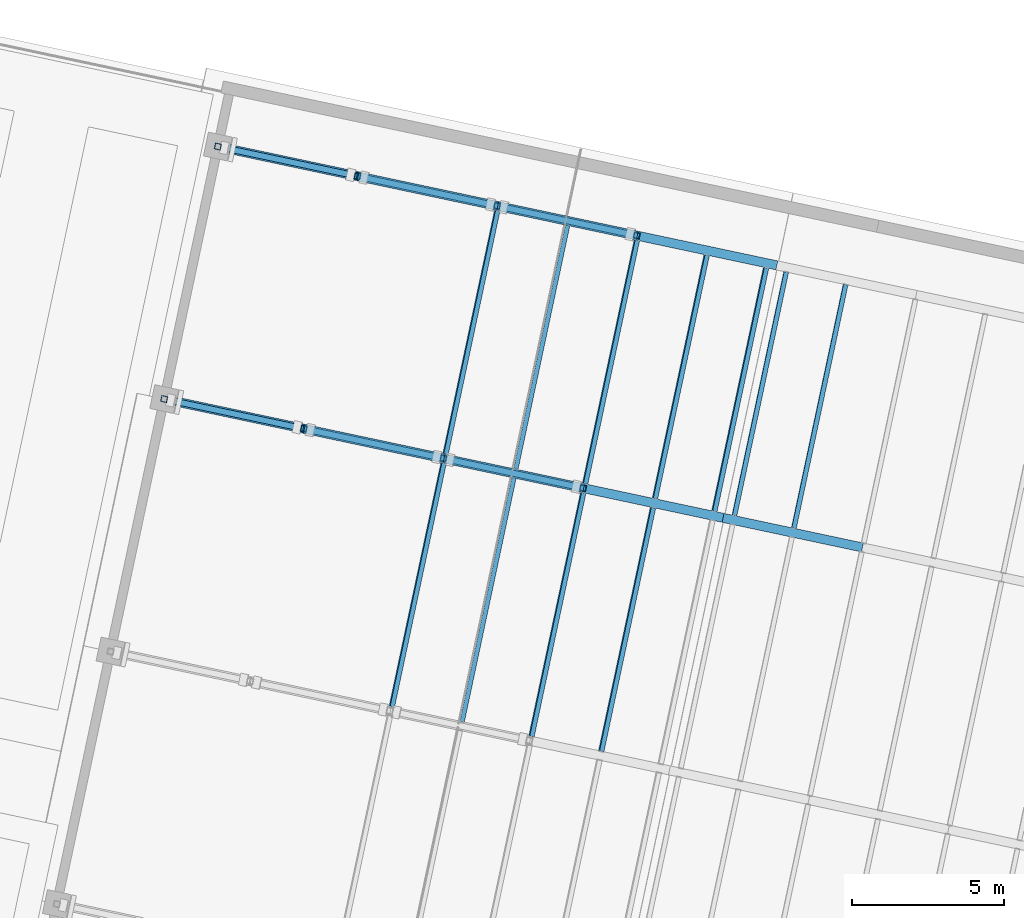
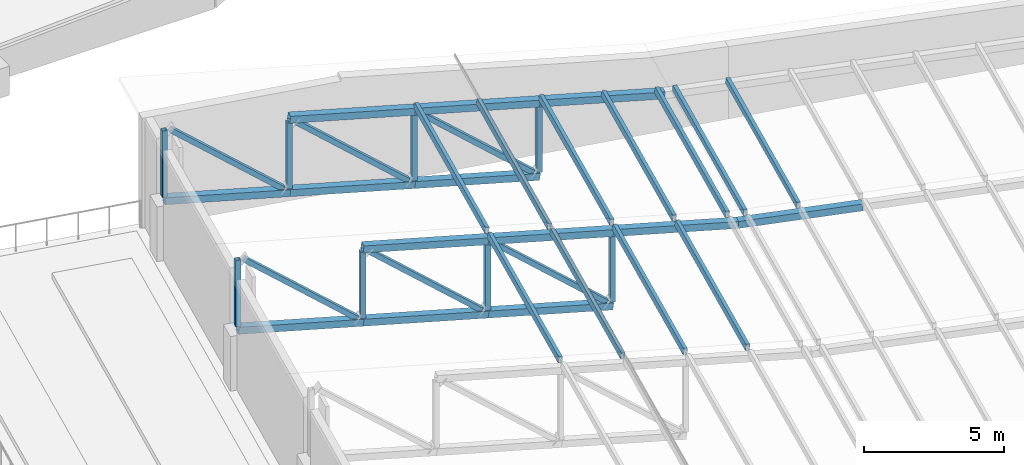
# One storey, part 55 of 196: 38 members.
"""IFC4 building model written with IfcOpenShell, lengths in metres."""

import ifcopenshell
import ifcopenshell.guid

model = None  # the IFC model being written
_history = None  # IfcOwnerHistory: only IFC2X3 demands one
_inside = {}  # id of a spatial element -> (the spatial element, [elements in it])
_under = {}  # id of a project, library or spatial element -> (it, [spatial elements below it])
_declared = {}  # id of a project -> (the project, [libraries it declares])
_typed = {}  # id of a type object -> (the type object, [elements of that type])
_made_of = {}  # id of a material, layer set ... -> (it, [elements and type objects made of it])


def new_model(schema):
    """Start an empty IFC model of exactly this schema.

    Asked for "IFC4X3", IfcOpenShell would pick the latest addendum, in which some entities
    have other attributes; the version numbers below select the first issue.
    IFC2X3 requires an IfcOwnerHistory on every rooted entity: one is made here for all.
    """
    global model, _history
    if schema == "IFC4X3":
        model = ifcopenshell.file(schema_version=(4, 3, 0, 0))
    else:
        model = ifcopenshell.file(schema=schema)
    _inside.clear()
    _under.clear()
    _declared.clear()
    _typed.clear()
    _made_of.clear()
    _history = None
    if model.schema == "IFC2X3":
        org = make("IfcOrganization", Name="unknown")
        user = make(
            "IfcPersonAndOrganization",
            ThePerson=make("IfcPerson", FamilyName="unknown"),
            TheOrganization=org,
        )
        app = make(
            "IfcApplication",
            ApplicationDeveloper=org,
            Version="unknown",
            ApplicationFullName="unknown",
            ApplicationIdentifier="unknown",
        )
        _history = make(
            "IfcOwnerHistory",
            OwningUser=user,
            OwningApplication=app,
            ChangeAction="ADDED",
            CreationDate=0,
        )
    return model


def make(cls, **values):
    """One entity of the class cls with the attributes given. An attribute that is None is left unset."""
    return model.create_entity(
        cls, **{name: value for name, value in values.items() if value is not None}
    )


def rooted(cls, **values):
    """An entity with a GlobalId (a new one), such as an element, a storey or a relation."""
    return make(cls, GlobalId=ifcopenshell.guid.new(), OwnerHistory=_history, **values)


def si_unit(unit_type, name, prefix=None):
    """IfcSIUnit, for example si_unit("LENGTHUNIT", "METRE", prefix="MILLI")."""
    return make("IfcSIUnit", UnitType=unit_type, Prefix=prefix, Name=name)


def assignment(units):
    """IfcUnitAssignment: the units of a project."""
    return None if units is None else make("IfcUnitAssignment", Units=units)


def point(xyz):
    """IfcCartesianPoint."""
    return None if xyz is None else make("IfcCartesianPoint", Coordinates=xyz)


def direction(xyz):
    """IfcDirection."""
    return None if xyz is None else make("IfcDirection", DirectionRatios=xyz)


def frame(location, z_axis=None, x_axis=None):
    """IfcAxis2Placement3D, a coordinate frame: its origin and axes. An axis left out is left unset."""
    return make(
        "IfcAxis2Placement3D",
        Location=point(location),
        Axis=direction(z_axis),
        RefDirection=direction(x_axis),
    )


def frame_2d(location, x_axis=None):
    """IfcAxis2Placement2D, a coordinate frame in the plane: its origin and x axis."""
    return make(
        "IfcAxis2Placement2D", Location=point(location), RefDirection=direction(x_axis)
    )


def origin():
    """The frame at (0, 0, 0) with its axes left unset."""
    return frame((0.0, 0.0, 0.0))


def origin_2d():
    """The frame at (0, 0) in the plane with its x axis left unset."""
    return frame_2d((0.0, 0.0))


def place(relative_to, where):
    """IfcLocalPlacement: puts the frame where relative to a parent placement (None: the world)."""
    return make(
        "IfcLocalPlacement", PlacementRelTo=relative_to, RelativePlacement=where
    )


def context(
    kind, dimensions, precision=None, world=None, true_north=None, identifier=None
):
    """IfcGeometricRepresentationContext, for example the 3D "Model" context."""
    return make(
        "IfcGeometricRepresentationContext",
        ContextIdentifier=identifier,
        ContextType=kind,
        CoordinateSpaceDimension=dimensions,
        Precision=precision,
        WorldCoordinateSystem=world,
        TrueNorth=true_north,
    )


def subcontext(parent, identifier, kind, view, scale=None):
    """IfcGeometricRepresentationSubContext, for example "Body" below "Model"."""
    return make(
        "IfcGeometricRepresentationSubContext",
        ContextIdentifier=identifier,
        ContextType=kind,
        ParentContext=parent,
        TargetScale=scale,
        TargetView=view,
    )


def project(units=None, contexts=None):
    """IfcProject with its units and contexts."""
    return rooted(
        "IfcProject",
        Name="project",
        RepresentationContexts=contexts,
        UnitsInContext=assignment(units),
    )


def spatial(cls, under=None, at=None, **own):
    """A site, building, storey or space (cls), placed at a placement, below another one or the project."""
    s = rooted(cls, ObjectPlacement=at, **own)
    if under is not None:
        _under.setdefault(under.id(), (under, []))[1].append(s)
    return s


def profile(cls, at=None, kind="AREA", **sizes):
    """A parametric profile (cls). Its sizes go by their IFC names, for example OverallWidth=200.0."""
    return make(cls, ProfileType=kind, Position=at, **sizes)


def hollow_rectangle(**sizes):
    """IfcRectangleHollowProfileDef."""
    return profile("IfcRectangleHollowProfileDef", **sizes)


def extrude(swept, where, along, depth):
    """IfcExtrudedAreaSolid: the profile swept, set in the frame where, extruded along a direction by depth."""
    return make(
        "IfcExtrudedAreaSolid",
        SweptArea=swept,
        Position=where,
        ExtrudedDirection=direction(along),
        Depth=depth,
    )


def shape(context_of_items, identifier, shape_type, items):
    """IfcShapeRepresentation: the items that make up one representation, for example the "Body"."""
    return make(
        "IfcShapeRepresentation",
        ContextOfItems=context_of_items,
        RepresentationIdentifier=identifier,
        RepresentationType=shape_type,
        Items=items,
    )


def material(Name=None, Category=None):
    """IfcMaterial."""
    return make("IfcMaterial", Name=Name, Category=Category)


def material_profile(
    of_material, cross_section, Name=None, Category=None, Priority=None
):
    """IfcMaterialProfile: a cross section and its material."""
    return make(
        "IfcMaterialProfile",
        Name=Name,
        Material=of_material,
        Profile=cross_section,
        Priority=Priority,
        Category=Category,
    )


def profile_set(profiles, Name=None, composite=None):
    """IfcMaterialProfileSet."""
    return make(
        "IfcMaterialProfileSet",
        Name=Name,
        MaterialProfiles=profiles,
        CompositeProfile=composite,
    )


def made_of(thing, what):
    """Note that an element or type object is made of a material, layer set ...; save() writes the relation."""
    if what is not None:
        _made_of.setdefault(what.id(), (what, []))[1].append(thing)
    return thing


def type_object(cls, material=None, **own):
    """A type object (cls), such as IfcWallType, which elements share."""
    return made_of(rooted(cls, **own), material)


def element(
    cls,
    number,
    at=None,
    inside=None,
    cuts=None,
    type_object=None,
    material=None,
    context=None,
    identifier="Body",
    shape_type=None,
    held_by="IfcProductDefinitionShape",
    body=None,
    shapes=None,
    **own,
):
    """One element of the class cls, such as IfcWall. Its Tag is "e" and its number.

    at: its placement. inside: the storey or other place that contains it. cuts: it is an
    opening in that element (IfcRelVoidsElement). A single representation is given by context,
    identifier, shape_type and body (its items); several are given by shapes. held_by: the class
    of the entity that holds the representations. save() writes the other relations.
    """
    e = rooted(cls, Tag="e%d" % number, ObjectPlacement=at, **own)
    if body is not None:
        shapes = [shape(context, identifier, shape_type, body)]
    if shapes is not None:
        e.Representation = make(held_by, Representations=shapes)
    if inside is not None:
        _inside.setdefault(inside.id(), (inside, []))[1].append(e)
    if cuts is not None:
        rooted(
            "IfcRelVoidsElement", RelatingBuildingElement=cuts, RelatedOpeningElement=e
        )
    if type_object is not None:
        _typed.setdefault(type_object.id(), (type_object, []))[1].append(e)
    return made_of(e, material)


def aggregate(whole, parts):
    """IfcRelAggregates: a whole, such as a stair, and the parts it consists of."""
    return rooted("IfcRelAggregates", RelatingObject=whole, RelatedObjects=parts)


def save(model, path):
    """Write the relations noted so far, then the file.

    IfcRelAggregates (storeys below a building ...), IfcRelContainedInSpatialStructure (elements
    in a storey), IfcRelDefinesByType, IfcRelAssociatesMaterial and IfcRelDeclares: one each for
    every whole, place, type object, material and project.
    """
    for whole, parts in _under.values():
        aggregate(whole, parts)
    for where, things in _inside.values():
        rooted(
            "IfcRelContainedInSpatialStructure",
            RelatedElements=things,
            RelatingStructure=where,
        )
    for kind, things in _typed.values():
        rooted("IfcRelDefinesByType", RelatedObjects=things, RelatingType=kind)
    for what, things in _made_of.values():
        rooted("IfcRelAssociatesMaterial", RelatedObjects=things, RelatingMaterial=what)
    for by, libraries in _declared.values():
        rooted("IfcRelDeclares", RelatingContext=by, RelatedDefinitions=libraries)
    model.write(path)


model = new_model("IFC4")

# Units and contexts
model_context = context("Model", 3, precision=1e-05, world=origin(), true_north=direction((0.0, 1.0)))
body_context = subcontext(model_context, "Body", "Model", "MODEL_VIEW")
ifc_project = project(units=[si_unit("LENGTHUNIT", "METRE"), si_unit("AREAUNIT", "SQUARE_METRE"), si_unit("VOLUMEUNIT", "CUBIC_METRE"), si_unit("PLANEANGLEUNIT", "RADIAN"), si_unit("MASSUNIT", "GRAM", prefix="KILO")], contexts=[model_context])

# Site, building, storey
site_placement = place(None, origin())
site = spatial("IfcSite", under=ifc_project, at=site_placement, CompositionType="ELEMENT")
building_placement = place(site_placement, origin())
building = spatial("IfcBuilding", under=site, at=building_placement, Name="Okhra Congress Centre", CompositionType="ELEMENT")
storey_placement = place(building_placement, frame((0.0, 0.0, 12.0)))
storey = spatial("IfcBuildingStorey", under=building, at=storey_placement, Name="L02", CompositionType="ELEMENT", Elevation=12.0)

# Members
ifc_material = material(Name="Steel S355J2", Category="steel")
ifc_material_profile_1 = material_profile(ifc_material, hollow_rectangle(XDim=0.14990234375, YDim=0.25, WallThickness=0.008056640625, at=origin_2d()), Name="RHS 250x150x8")
ifc_profile_set_1 = profile_set([ifc_material_profile_1], Name="Steel S355J2")
member_type_1 = type_object("IfcMemberType", Name="Steel roof purlin RHS 250x150x8", PredefinedType="PURLIN", material=ifc_profile_set_1)
member_1_placement = place(storey_placement, frame((214.5146484375, 118.80126953125, 4.537109375), z_axis=(0.2079021972, 0.978149618616, 0.0), x_axis=(-0.968630333768, 0.205878907308, 0.13917310096)))
element("IfcMember", 1, at=member_1_placement, inside=storey, type_object=member_type_1, Name="Roof purlin 4.5", PredefinedType="PURLIN", context=body_context, shape_type="SweptSolid", body=[
    extrude(hollow_rectangle(XDim=0.14990234375, YDim=0.25, WallThickness=0.008056640625, at=origin_2d()), origin(), (0.0, 0.0, 1.0), 8.2001953125),
])
for number, where, z_axis, x_axis, name in (
    (2, (216.813232421875, 118.312744140625, 4.206787109375), (0.207908251916, 0.978148331689, 0.0), (-0.968629059364, 0.2058849031, 0.13917310096), "Roof purlin 4.6"),
    (3, (219.112060546875, 117.82421875, 3.87646484375), (0.207908251916, 0.978148331689, 0.0), (-0.968629059364, 0.2058849031, 0.13917310096), "Roof purlin 4.7"),
    (4, (221.41064453125, 117.335693359375, 3.546142578125), (0.207908251916, 0.978148331689, 0.0), (-0.968629059364, 0.2058849031, 0.13917310096), "Roof purlin 4.8"),
    (5, (216.281982421875, 127.11572265625, 4.537109375), (0.207908251916, 0.978148331689, 0.0), (-0.968629059364, 0.2058849031, 0.13917310096), "Roof purlin 5.5"),
):
    element("IfcMember", number, at=place(storey_placement, frame(where, z_axis=z_axis, x_axis=x_axis)), inside=storey, type_object=member_type_1, Name=name, PredefinedType="PURLIN", context=body_context, shape_type="SweptSolid", body=[
        extrude(hollow_rectangle(XDim=0.14990234375, YDim=0.25, WallThickness=0.008056640625, at=origin_2d()), origin(), (0.0, 0.0, 1.0), 8.199951171875),
    ])
member_2_placement = place(storey_placement, frame((218.58056640625, 126.626953125, 4.206787109375), z_axis=(0.2079021972, 0.978149618616, 0.0), x_axis=(-0.968630333768, 0.205878907308, 0.13917310096)))
element("IfcMember", 6, at=member_2_placement, inside=storey, type_object=member_type_1, Name="Roof purlin 5.6", PredefinedType="PURLIN", context=body_context, shape_type="SweptSolid", body=[
    extrude(hollow_rectangle(XDim=0.14990234375, YDim=0.25, WallThickness=0.008056640625, at=origin_2d()), origin(), (0.0, 0.0, 1.0), 8.2001953125),
])
for number, where, z_axis, x_axis, name in (
    (7, (220.879150390625, 126.138427734375, 3.87646484375), (0.207908251916, 0.978148331689, 0.0), (-0.968629059364, 0.2058849031, 0.13917310096), "Roof purlin 5.7"),
    (8, (223.177734375, 125.64990234375, 3.546142578125), (0.207936738153, 0.978142276423, 0.0), (-0.968623063028, 0.205913112111, 0.13917310096), "Roof purlin 5.8"),
    (9, (225.134033203125, 125.234130859375, 3.26513671875), (0.207936738153, 0.978142276423, 0.0), (-0.968623063028, 0.205913112111, 0.13917310096), "Roof purlin 5.9"),
    (10, (225.79541015625, 125.093505859375, 3.199951171875), (0.207908251916, 0.978148331689, 0.0), (-0.976807813395, 0.207623320882, 0.052335956243), "Roof purlin 5.10"),
    (11, (227.751708984375, 124.677734375, 3.094970703125), (0.207908251916, 0.978148331689, 0.0), (-0.976807813395, 0.207623320882, 0.052335956243), "Roof purlin 5.11"),
):
    element("IfcMember", number, at=place(storey_placement, frame(where, z_axis=z_axis, x_axis=x_axis)), inside=storey, type_object=member_type_1, Name=name, PredefinedType="PURLIN", context=body_context, shape_type="SweptSolid", body=[
        extrude(hollow_rectangle(XDim=0.14990234375, YDim=0.25, WallThickness=0.008056640625, at=origin_2d()), origin(), (0.0, 0.0, 1.0), 8.199951171875),
    ])
ifc_material_profile_2 = material_profile(ifc_material, hollow_rectangle(XDim=0.300048828125, YDim=0.300048828125, WallThickness=0.01611328125, at=origin_2d()), Name="RHS 300x300x16")
ifc_profile_set_2 = profile_set([ifc_material_profile_2], Name="Steel S355J2")
member_type_2 = type_object("IfcMemberType", Name="Steel truss chord RHS 300x300x16", PredefinedType="CHORD", material=ifc_profile_set_2)
member_3_placement = place(storey_placement, frame((207.018798828125, 128.93115234375, 2.3857421875), z_axis=(0.968636356355, -0.205867376428, -0.13914823919), x_axis=(0.20788981954, 0.978152249362, 0.0)))
element("IfcMember", 12, at=member_3_placement, inside=storey, type_object=member_type_2, Name="Hall truss 5 bottom chord 1", PredefinedType="CHORD", context=body_context, shape_type="SweptSolid", body=[
    extrude(hollow_rectangle(XDim=0.300048828125, YDim=0.300048828125, WallThickness=0.01611328125, at=origin_2d()), origin(), (0.0, 0.0, 1.0), 4.74609375),
])
for number, where, z_axis, x_axis, name in (
    (13, (211.615966796875, 127.9541015625, 1.725341796875), (0.968622340481, -0.205904903029, -0.139190274194), (0.207928955205, 0.978143930916, 0.0), "Hall truss 5 bottom chord 2"),
    (14, (211.615966796875, 127.9541015625, 4.92529296875), (0.968622340481, -0.205904903029, -0.139190274194), (0.207928955205, 0.978143930916, 0.0), "Hall truss 5 top chord 2"),
):
    element("IfcMember", number, at=place(storey_placement, frame(where, z_axis=z_axis, x_axis=x_axis)), inside=storey, type_object=member_type_2, Name=name, PredefinedType="CHORD", context=body_context, shape_type="SweptSolid", body=[
        extrude(hollow_rectangle(XDim=0.300048828125, YDim=0.300048828125, WallThickness=0.01611328125, at=origin_2d()), origin(), (0.0, 0.0, 1.0), 4.746337890625),
    ])
for number, where, z_axis, x_axis, name in (
    (15, (216.21337890625, 126.976806640625, 1.064697265625), (0.968629421706, -0.205865902584, -0.139198683757), (0.20788981954, 0.978152249362, 0.0), "Hall truss 5 bottom chord 3"),
    (16, (216.21337890625, 126.976806640625, 4.2646484375), (0.968636356355, -0.205867376428, -0.13914823919), (0.20788981954, 0.978152249362, 0.0), "Hall truss 5 top chord 3"),
):
    element("IfcMember", number, at=place(storey_placement, frame(where, z_axis=z_axis, x_axis=x_axis)), inside=storey, type_object=member_type_2, Name=name, PredefinedType="CHORD", context=body_context, shape_type="SweptSolid", body=[
        extrude(hollow_rectangle(XDim=0.300048828125, YDim=0.300048828125, WallThickness=0.01611328125, at=origin_2d()), origin(), (0.0, 0.0, 1.0), 4.74609375),
    ])
member_4_placement = place(storey_placement, frame((220.810546875, 125.999755859375, 3.604248046875), z_axis=(0.968622340481, -0.205904903029, -0.139190274194), x_axis=(0.207928955205, 0.978143930916, 0.0)))
element("IfcMember", 17, at=member_4_placement, inside=storey, type_object=member_type_2, Name="Hall truss 5 top chord 4", PredefinedType="CHORD", context=body_context, shape_type="SweptSolid", body=[
    extrude(hollow_rectangle(XDim=0.300048828125, YDim=0.300048828125, WallThickness=0.01611328125, at=origin_2d()), origin(), (0.0, 0.0, 1.0), 4.746337890625),
])
member_5_placement = place(storey_placement, frame((225.407958984375, 125.0224609375, 2.943603515625), z_axis=(0.9768114081, -0.207604846267, -0.052342151395), x_axis=(0.20788981954, 0.978152249362, 0.0)))
element("IfcMember", 18, at=member_5_placement, inside=storey, type_object=member_type_2, Name="Hall truss 5 top chord 5", PredefinedType="CHORD", context=body_context, shape_type="SweptSolid", body=[
    extrude(hollow_rectangle(XDim=0.300048828125, YDim=0.300048828125, WallThickness=0.01611328125, at=origin_2d()), origin(), (0.0, 0.0, 1.0), 4.706298828125),
])
member_6_placement = place(storey_placement, frame((208.785888671875, 137.24560546875, 2.3857421875), z_axis=(0.968629274242, -0.205906376974, -0.139139832554), x_axis=(0.207928955205, 0.978143930916, 0.0)))
element("IfcMember", 19, at=member_6_placement, inside=storey, type_object=member_type_2, Name="Hall truss 6 bottom chord 1", PredefinedType="CHORD", context=body_context, shape_type="SweptSolid", body=[
    extrude(hollow_rectangle(XDim=0.300048828125, YDim=0.300048828125, WallThickness=0.01611328125, at=origin_2d()), origin(), (0.0, 0.0, 1.0), 4.746337890625),
])
for number, where, z_axis, x_axis, name in (
    (20, (213.38330078125, 136.268310546875, 1.725341796875), (0.968619162901, -0.205915162458, -0.139197209496), (0.207939520185, 0.978141685005, 0.0), "Hall truss 6 bottom chord 2"),
    (21, (213.38330078125, 136.268310546875, 4.92529296875), (0.968619162901, -0.205915162458, -0.139197209496), (0.207939520185, 0.978141685005, 0.0), "Hall truss 6 top chord 2"),
):
    element("IfcMember", number, at=place(storey_placement, frame(where, z_axis=z_axis, x_axis=x_axis)), inside=storey, type_object=member_type_2, Name=name, PredefinedType="CHORD", context=body_context, shape_type="SweptSolid", body=[
        extrude(hollow_rectangle(XDim=0.300048828125, YDim=0.300048828125, WallThickness=0.01611328125, at=origin_2d()), origin(), (0.0, 0.0, 1.0), 4.74609375),
    ])
for number, where, z_axis, x_axis, name in (
    (22, (217.98046875, 135.291015625, 1.064697265625), (0.968632598297, -0.205855645392, -0.139191748234), (0.207879256857, 0.978154494223, 0.0), "Hall truss 6 bottom chord 3"),
    (23, (217.98046875, 135.291015625, 4.2646484375), (0.968639532279, -0.205857119015, -0.139141306081), (0.207879256857, 0.978154494223, 0.0), "Hall truss 6 top chord 3"),
):
    element("IfcMember", number, at=place(storey_placement, frame(where, z_axis=z_axis, x_axis=x_axis)), inside=storey, type_object=member_type_2, Name=name, PredefinedType="CHORD", context=body_context, shape_type="SweptSolid", body=[
        extrude(hollow_rectangle(XDim=0.300048828125, YDim=0.300048828125, WallThickness=0.01611328125, at=origin_2d()), origin(), (0.0, 0.0, 1.0), 4.746337890625),
    ])
member_7_placement = place(storey_placement, frame((222.577880859375, 134.31396484375, 3.604248046875), z_axis=(0.968619162901, -0.205915162458, -0.139197209496), x_axis=(0.207939520185, 0.978141685005, 0.0)))
element("IfcMember", 24, at=member_7_placement, inside=storey, type_object=member_type_2, Name="Hall truss 6 top chord 4", PredefinedType="CHORD", context=body_context, shape_type="SweptSolid", body=[
    extrude(hollow_rectangle(XDim=0.300048828125, YDim=0.300048828125, WallThickness=0.01611328125, at=origin_2d()), origin(), (0.0, 0.0, 1.0), 4.74609375),
])
ifc_material_profile_3 = material_profile(ifc_material, hollow_rectangle(XDim=0.199951171875, YDim=0.199951171875, WallThickness=0.010009765625, at=origin_2d()), Name="RHS 200x200x10 diagonal")
ifc_profile_set_3 = profile_set([ifc_material_profile_3], Name="Steel S355J2")
member_type_3 = type_object("IfcMemberType", Name="Steel truss diagonal RHS 200x200x10", PredefinedType="BRACE", material=ifc_profile_set_3)
member_8_placement = place(storey_placement, frame((207.2421875, 128.8837890625, 5.398193359375), z_axis=(0.755823827088, -0.160688705871, -0.634751512178), x_axis=(0.207953036353, 0.978138811556, 0.0)))
element("IfcMember", 25, at=member_8_placement, inside=storey, type_object=member_type_3, Name="Hall truss 5 diagonal 1", PredefinedType="BRACE", context=body_context, shape_type="SweptSolid", body=[
    extrude(hollow_rectangle(XDim=0.199951171875, YDim=0.199951171875, WallThickness=0.010009765625, at=origin_2d()), origin(), (0.0, 0.0, 1.0), 5.490966796875),
])
member_9_placement = place(storey_placement, frame((211.839599609375, 127.906494140625, 4.737548828125), z_axis=(0.755850558635, -0.160649924604, -0.634729497295), x_axis=(0.207897982731, 0.978150514377, 0.0)))
element("IfcMember", 26, at=member_9_placement, inside=storey, type_object=member_type_3, Name="Hall truss 5 diagonal 2", PredefinedType="BRACE", context=body_context, shape_type="SweptSolid", body=[
    extrude(hollow_rectangle(XDim=0.199951171875, YDim=0.199951171875, WallThickness=0.010009765625, at=origin_2d()), origin(), (0.0, 0.0, 1.0), 5.49072265625),
])
for number, where, z_axis, x_axis, name in (
    (27, (216.436767578125, 126.929443359375, 4.076904296875), (0.755864219463, -0.160687840538, -0.634703631343), (0.207941332766, 0.978141299674, 0.0), "Hall truss 5 diagonal 3"),
    (28, (209.009521484375, 137.197998046875, 5.398193359375), (0.755829226515, -0.160645390635, -0.634756046693), (0.207897982731, 0.978150514377, 0.0), "Hall truss 6 diagonal 1"),
    (29, (213.606689453125, 136.220703125, 4.737548828125), (0.75586961912, -0.160644525522, -0.634708165467), (0.207886281963, 0.978153001208, 0.0), "Hall truss 6 diagonal 2"),
):
    element("IfcMember", number, at=place(storey_placement, frame(where, z_axis=z_axis, x_axis=x_axis)), inside=storey, type_object=member_type_3, Name=name, PredefinedType="BRACE", context=body_context, shape_type="SweptSolid", body=[
        extrude(hollow_rectangle(XDim=0.199951171875, YDim=0.199951171875, WallThickness=0.010009765625, at=origin_2d()), origin(), (0.0, 0.0, 1.0), 5.490966796875),
    ])
member_10_placement = place(storey_placement, frame((218.2041015625, 135.24365234375, 4.076904296875), z_axis=(0.755850558635, -0.160649924604, -0.634729497295), x_axis=(0.207897982731, 0.978150514377, 0.0)))
element("IfcMember", 30, at=member_10_placement, inside=storey, type_object=member_type_3, Name="Hall truss 6 diagonal 3", PredefinedType="BRACE", context=body_context, shape_type="SweptSolid", body=[
    extrude(hollow_rectangle(XDim=0.199951171875, YDim=0.199951171875, WallThickness=0.010009765625, at=origin_2d()), origin(), (0.0, 0.0, 1.0), 5.49072265625),
])
ifc_material_profile_4 = material_profile(ifc_material, hollow_rectangle(XDim=0.199951171875, YDim=0.199951171875, WallThickness=0.010009765625, at=origin_2d()), Name="RHS 200x200x10")
ifc_profile_set_4 = profile_set([ifc_material_profile_4], Name="Steel S355J2")
member_type_4 = type_object("IfcMemberType", Name="Steel truss post RHS 200x200x10", PredefinedType="POST", material=ifc_profile_set_4)
for number, where, z_axis, x_axis, name in (
    (31, (207.018798828125, 128.93115234375, 2.537353515625), (0.0, 0.0, 1.0), (0.978147600734, -0.207911690818, 0.0), "Hall truss 5 post 1"),
    (32, (211.615966796875, 127.9541015625, 1.876708984375), (0.0, 0.0, 1.0), (0.978147600734, -0.207911690818, 0.0), "Hall truss 5 post 2"),
):
    element("IfcMember", number, at=place(storey_placement, frame(where, z_axis=z_axis, x_axis=x_axis)), inside=storey, type_object=member_type_4, Name=name, PredefinedType="POST", context=body_context, shape_type="SweptSolid", body=[
        extrude(hollow_rectangle(XDim=0.199951171875, YDim=0.199951171875, WallThickness=0.010009765625, at=origin_2d()), origin(), (0.0, 0.0, 1.0), 2.89697265625),
    ])
member_11_placement = place(storey_placement, frame((216.21337890625, 126.976806640625, 1.216064453125), z_axis=(0.0, 0.0, 1.0), x_axis=(0.978147600734, -0.207911690818, 0.0)))
element("IfcMember", 33, at=member_11_placement, inside=storey, type_object=member_type_4, Name="Hall truss 5 post 3", PredefinedType="POST", context=body_context, shape_type="SweptSolid", body=[
    extrude(hollow_rectangle(XDim=0.199951171875, YDim=0.199951171875, WallThickness=0.010009765625, at=origin_2d()), origin(), (0.0, 0.0, 1.0), 2.897216796875),
])
for number, where, z_axis, x_axis, name in (
    (34, (220.810546875, 125.999755859375, 0.5556640625), (0.0, 0.0, 1.0), (0.978147600734, -0.207911690818, 0.0), "Hall truss 5 post 4"),
    (35, (208.785888671875, 137.24560546875, 2.537353515625), (0.0, 0.0, 1.0), (0.978147600734, -0.207911690818, 0.0), "Hall truss 6 post 1"),
    (36, (213.38330078125, 136.268310546875, 1.876708984375), (0.0, 0.0, 1.0), (0.978147600734, -0.207911690818, 0.0), "Hall truss 6 post 2"),
):
    element("IfcMember", number, at=place(storey_placement, frame(where, z_axis=z_axis, x_axis=x_axis)), inside=storey, type_object=member_type_4, Name=name, PredefinedType="POST", context=body_context, shape_type="SweptSolid", body=[
        extrude(hollow_rectangle(XDim=0.199951171875, YDim=0.199951171875, WallThickness=0.010009765625, at=origin_2d()), origin(), (0.0, 0.0, 1.0), 2.89697265625),
    ])
member_12_placement = place(storey_placement, frame((217.98046875, 135.291015625, 1.216064453125), z_axis=(0.0, 0.0, 1.0), x_axis=(0.978147600734, -0.207911690818, 0.0)))
element("IfcMember", 37, at=member_12_placement, inside=storey, type_object=member_type_4, Name="Hall truss 6 post 3", PredefinedType="POST", context=body_context, shape_type="SweptSolid", body=[
    extrude(hollow_rectangle(XDim=0.199951171875, YDim=0.199951171875, WallThickness=0.010009765625, at=origin_2d()), origin(), (0.0, 0.0, 1.0), 2.897216796875),
])
member_13_placement = place(storey_placement, frame((222.577880859375, 134.31396484375, 0.5556640625), z_axis=(0.0, 0.0, 1.0), x_axis=(0.978147600734, -0.207911690818, 0.0)))
element("IfcMember", 38, at=member_13_placement, inside=storey, type_object=member_type_4, Name="Hall truss 6 post 4", PredefinedType="POST", context=body_context, shape_type="SweptSolid", body=[
    extrude(hollow_rectangle(XDim=0.199951171875, YDim=0.199951171875, WallThickness=0.010009765625, at=origin_2d()), origin(), (0.0, 0.0, 1.0), 2.89697265625),
])

save(model, "model.ifc")
